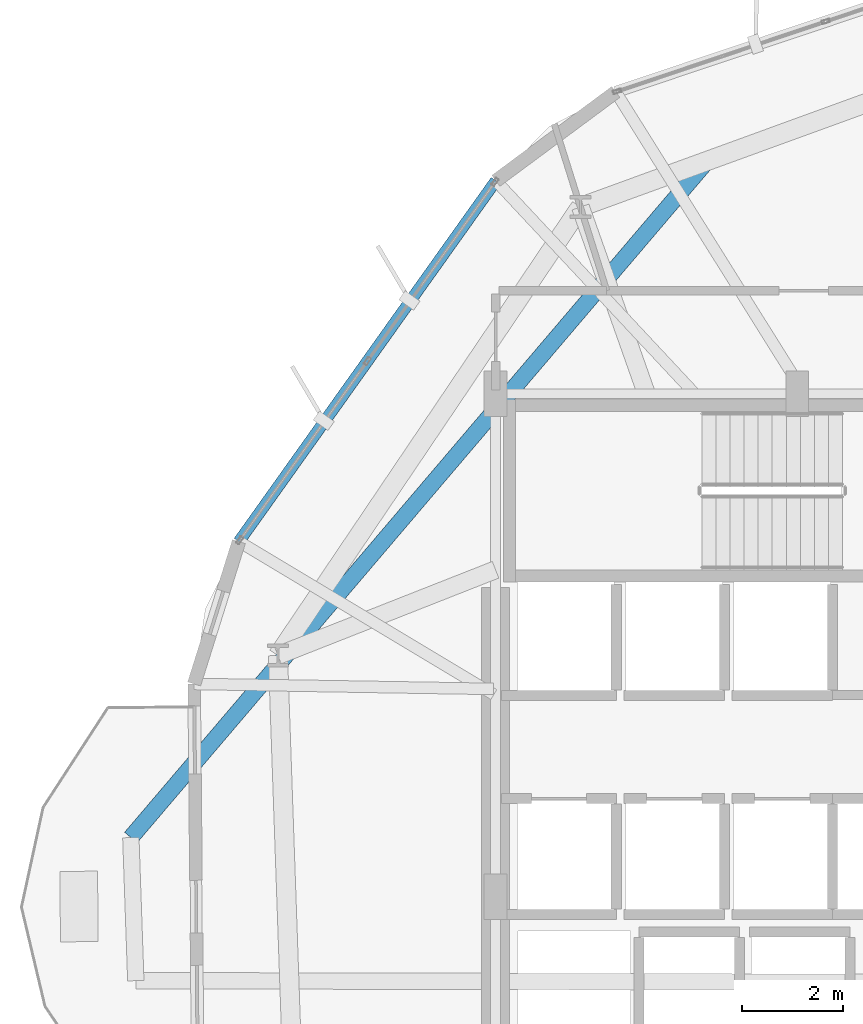
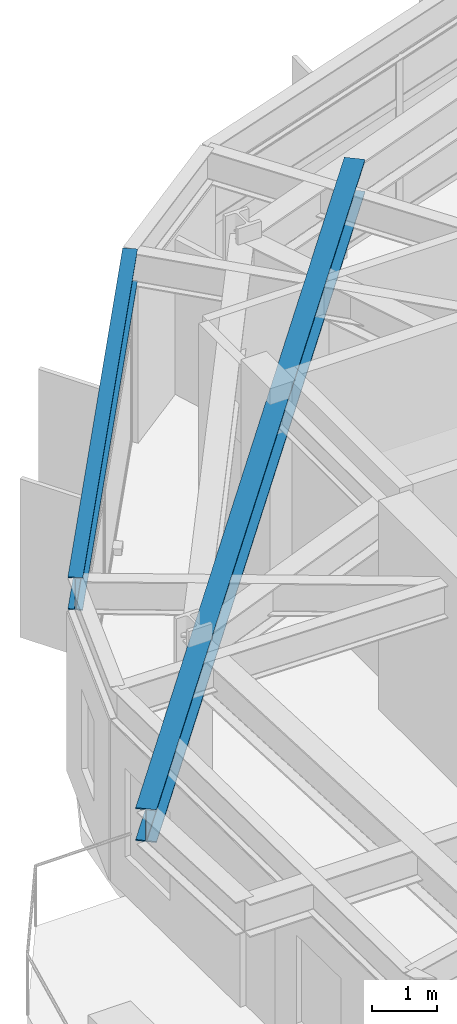
# One storey, part 9 of 27: 2 beams.
"""IFC4 building model written with IfcOpenShell, lengths in metres."""

import ifcopenshell
import ifcopenshell.guid

model = None  # the IFC model being written
_history = None  # IfcOwnerHistory: only IFC2X3 demands one
_inside = {}  # id of a spatial element -> (the spatial element, [elements in it])
_under = {}  # id of a project, library or spatial element -> (it, [spatial elements below it])
_declared = {}  # id of a project -> (the project, [libraries it declares])
_typed = {}  # id of a type object -> (the type object, [elements of that type])
_made_of = {}  # id of a material, layer set ... -> (it, [elements and type objects made of it])


def new_model(schema):
    """Start an empty IFC model of exactly this schema.

    Asked for "IFC4X3", IfcOpenShell would pick the latest addendum, in which some entities
    have other attributes; the version numbers below select the first issue.
    IFC2X3 requires an IfcOwnerHistory on every rooted entity: one is made here for all.
    """
    global model, _history
    if schema == "IFC4X3":
        model = ifcopenshell.file(schema_version=(4, 3, 0, 0))
    else:
        model = ifcopenshell.file(schema=schema)
    _inside.clear()
    _under.clear()
    _declared.clear()
    _typed.clear()
    _made_of.clear()
    _history = None
    if model.schema == "IFC2X3":
        org = make("IfcOrganization", Name="unknown")
        user = make(
            "IfcPersonAndOrganization",
            ThePerson=make("IfcPerson", FamilyName="unknown"),
            TheOrganization=org,
        )
        app = make(
            "IfcApplication",
            ApplicationDeveloper=org,
            Version="unknown",
            ApplicationFullName="unknown",
            ApplicationIdentifier="unknown",
        )
        _history = make(
            "IfcOwnerHistory",
            OwningUser=user,
            OwningApplication=app,
            ChangeAction="ADDED",
            CreationDate=0,
        )
    return model


def make(cls, **values):
    """One entity of the class cls with the attributes given. An attribute that is None is left unset."""
    return model.create_entity(
        cls, **{name: value for name, value in values.items() if value is not None}
    )


def rooted(cls, **values):
    """An entity with a GlobalId (a new one), such as an element, a storey or a relation."""
    return make(cls, GlobalId=ifcopenshell.guid.new(), OwnerHistory=_history, **values)


def si_unit(unit_type, name, prefix=None):
    """IfcSIUnit, for example si_unit("LENGTHUNIT", "METRE", prefix="MILLI")."""
    return make("IfcSIUnit", UnitType=unit_type, Prefix=prefix, Name=name)


def assignment(units):
    """IfcUnitAssignment: the units of a project."""
    return None if units is None else make("IfcUnitAssignment", Units=units)


def point(xyz):
    """IfcCartesianPoint."""
    return None if xyz is None else make("IfcCartesianPoint", Coordinates=xyz)


def direction(xyz):
    """IfcDirection."""
    return None if xyz is None else make("IfcDirection", DirectionRatios=xyz)


def frame(location, z_axis=None, x_axis=None):
    """IfcAxis2Placement3D, a coordinate frame: its origin and axes. An axis left out is left unset."""
    return make(
        "IfcAxis2Placement3D",
        Location=point(location),
        Axis=direction(z_axis),
        RefDirection=direction(x_axis),
    )


def frame_2d(location, x_axis=None):
    """IfcAxis2Placement2D, a coordinate frame in the plane: its origin and x axis."""
    return make(
        "IfcAxis2Placement2D", Location=point(location), RefDirection=direction(x_axis)
    )


def origin():
    """The frame at (0, 0, 0) with its axes left unset."""
    return frame((0.0, 0.0, 0.0))


def origin_2d():
    """The frame at (0, 0) in the plane with its x axis left unset."""
    return frame_2d((0.0, 0.0))


def place(relative_to, where):
    """IfcLocalPlacement: puts the frame where relative to a parent placement (None: the world)."""
    return make(
        "IfcLocalPlacement", PlacementRelTo=relative_to, RelativePlacement=where
    )


def context(
    kind, dimensions, precision=None, world=None, true_north=None, identifier=None
):
    """IfcGeometricRepresentationContext, for example the 3D "Model" context."""
    return make(
        "IfcGeometricRepresentationContext",
        ContextIdentifier=identifier,
        ContextType=kind,
        CoordinateSpaceDimension=dimensions,
        Precision=precision,
        WorldCoordinateSystem=world,
        TrueNorth=true_north,
    )


def subcontext(parent, identifier, kind, view, scale=None):
    """IfcGeometricRepresentationSubContext, for example "Body" below "Model"."""
    return make(
        "IfcGeometricRepresentationSubContext",
        ContextIdentifier=identifier,
        ContextType=kind,
        ParentContext=parent,
        TargetScale=scale,
        TargetView=view,
    )


def project(units=None, contexts=None):
    """IfcProject with its units and contexts."""
    return rooted(
        "IfcProject",
        Name="project",
        RepresentationContexts=contexts,
        UnitsInContext=assignment(units),
    )


def spatial(cls, under=None, at=None, **own):
    """A site, building, storey or space (cls), placed at a placement, below another one or the project."""
    s = rooted(cls, ObjectPlacement=at, **own)
    if under is not None:
        _under.setdefault(under.id(), (under, []))[1].append(s)
    return s


def profile(cls, at=None, kind="AREA", **sizes):
    """A parametric profile (cls). Its sizes go by their IFC names, for example OverallWidth=200.0."""
    return make(cls, ProfileType=kind, Position=at, **sizes)


def i_section(**sizes):
    """IfcIShapeProfileDef."""
    return profile("IfcIShapeProfileDef", **sizes)


def extrude(swept, where, along, depth):
    """IfcExtrudedAreaSolid: the profile swept, set in the frame where, extruded along a direction by depth."""
    return make(
        "IfcExtrudedAreaSolid",
        SweptArea=swept,
        Position=where,
        ExtrudedDirection=direction(along),
        Depth=depth,
    )


def shape(context_of_items, identifier, shape_type, items):
    """IfcShapeRepresentation: the items that make up one representation, for example the "Body"."""
    return make(
        "IfcShapeRepresentation",
        ContextOfItems=context_of_items,
        RepresentationIdentifier=identifier,
        RepresentationType=shape_type,
        Items=items,
    )


def material(Name=None, Category=None):
    """IfcMaterial."""
    return make("IfcMaterial", Name=Name, Category=Category)


def material_profile(
    of_material, cross_section, Name=None, Category=None, Priority=None
):
    """IfcMaterialProfile: a cross section and its material."""
    return make(
        "IfcMaterialProfile",
        Name=Name,
        Material=of_material,
        Profile=cross_section,
        Priority=Priority,
        Category=Category,
    )


def profile_set(profiles, Name=None, composite=None):
    """IfcMaterialProfileSet."""
    return make(
        "IfcMaterialProfileSet",
        Name=Name,
        MaterialProfiles=profiles,
        CompositeProfile=composite,
    )


def made_of(thing, what):
    """Note that an element or type object is made of a material, layer set ...; save() writes the relation."""
    if what is not None:
        _made_of.setdefault(what.id(), (what, []))[1].append(thing)
    return thing


def type_object(cls, material=None, **own):
    """A type object (cls), such as IfcWallType, which elements share."""
    return made_of(rooted(cls, **own), material)


def element(
    cls,
    number,
    at=None,
    inside=None,
    cuts=None,
    type_object=None,
    material=None,
    context=None,
    identifier="Body",
    shape_type=None,
    held_by="IfcProductDefinitionShape",
    body=None,
    shapes=None,
    **own,
):
    """One element of the class cls, such as IfcWall. Its Tag is "e" and its number.

    at: its placement. inside: the storey or other place that contains it. cuts: it is an
    opening in that element (IfcRelVoidsElement). A single representation is given by context,
    identifier, shape_type and body (its items); several are given by shapes. held_by: the class
    of the entity that holds the representations. save() writes the other relations.
    """
    e = rooted(cls, Tag="e%d" % number, ObjectPlacement=at, **own)
    if body is not None:
        shapes = [shape(context, identifier, shape_type, body)]
    if shapes is not None:
        e.Representation = make(held_by, Representations=shapes)
    if inside is not None:
        _inside.setdefault(inside.id(), (inside, []))[1].append(e)
    if cuts is not None:
        rooted(
            "IfcRelVoidsElement", RelatingBuildingElement=cuts, RelatedOpeningElement=e
        )
    if type_object is not None:
        _typed.setdefault(type_object.id(), (type_object, []))[1].append(e)
    return made_of(e, material)


def aggregate(whole, parts):
    """IfcRelAggregates: a whole, such as a stair, and the parts it consists of."""
    return rooted("IfcRelAggregates", RelatingObject=whole, RelatedObjects=parts)


def save(model, path):
    """Write the relations noted so far, then the file.

    IfcRelAggregates (storeys below a building ...), IfcRelContainedInSpatialStructure (elements
    in a storey), IfcRelDefinesByType, IfcRelAssociatesMaterial and IfcRelDeclares: one each for
    every whole, place, type object, material and project.
    """
    for whole, parts in _under.values():
        aggregate(whole, parts)
    for where, things in _inside.values():
        rooted(
            "IfcRelContainedInSpatialStructure",
            RelatedElements=things,
            RelatingStructure=where,
        )
    for kind, things in _typed.values():
        rooted("IfcRelDefinesByType", RelatedObjects=things, RelatingType=kind)
    for what, things in _made_of.values():
        rooted("IfcRelAssociatesMaterial", RelatedObjects=things, RelatingMaterial=what)
    for by, libraries in _declared.values():
        rooted("IfcRelDeclares", RelatingContext=by, RelatedDefinitions=libraries)
    model.write(path)


model = new_model("IFC4")

# Units and contexts
model_context = context("Model", 3, precision=1e-05, world=origin(), true_north=direction((0.0, 1.0)))
body_context = subcontext(model_context, "Body", "Model", "MODEL_VIEW")
ifc_project = project(units=[si_unit("LENGTHUNIT", "METRE"), si_unit("AREAUNIT", "SQUARE_METRE"), si_unit("VOLUMEUNIT", "CUBIC_METRE"), si_unit("PLANEANGLEUNIT", "RADIAN"), si_unit("MASSUNIT", "GRAM", prefix="KILO")], contexts=[model_context])

# Site, building, storey
site_placement = place(None, origin())
site = spatial("IfcSite", under=ifc_project, at=site_placement, CompositionType="ELEMENT")
building_placement = place(site_placement, origin())
building = spatial("IfcBuilding", under=site, at=building_placement, Name="Soratama Intermodal Tower", CompositionType="ELEMENT")
storey_placement = place(building_placement, frame((0.0, 0.0, 103.0)))
storey = spatial("IfcBuildingStorey", under=building, at=storey_placement, Name="L24", CompositionType="ELEMENT", Elevation=103.0)

# Beams
ifc_material_1 = material(Name="Structural steel ASTM A992 Grade 50", Category="steel")
ifc_material_profile_1 = material_profile(ifc_material_1, i_section(OverallWidth=0.324951171875, OverallDepth=0.615966796875, WebThickness=0.013916015625, FlangeThickness=0.021484375, FilletRadius=0.013916015625, at=origin_2d()), Name="W24X117")
ifc_profile_set_1 = profile_set([ifc_material_profile_1], Name="Structural steel ASTM A992 Grade 50")
beam_type_1 = type_object("IfcBeamType", Name="BM-CANT-W24X117", PredefinedType="BEAM", material=ifc_profile_set_1)
beam_1_placement = place(storey_placement, frame((36.781982421875, 39.597900390625, 3.2919921875), z_axis=(-0.648447137657, -0.761259686089, 0.0), x_axis=(0.761259686089, -0.648447137657, 0.0)))
element("IfcBeam", 1, at=beam_1_placement, inside=storey, type_object=beam_type_1, Name="BM-L24-CANT-3-1", PredefinedType="BEAM", context=body_context, shape_type="SweptSolid", body=[
    extrude(i_section(OverallWidth=0.324951171875, OverallDepth=0.615966796875, WebThickness=0.013916015625, FlangeThickness=0.021484375, FilletRadius=0.013916015625, at=origin_2d()), origin(), (0.0, 0.0, 1.0), 17.631103515625),
])
ifc_material_2 = material(Name="Structural steel ASTM A992 Grade 50", Category="steel")
ifc_material_profile_2 = material_profile(ifc_material_2, i_section(OverallWidth=0.22900390625, OverallDepth=0.612060546875, WebThickness=0.011962890625, FlangeThickness=0.01953125, FilletRadius=0.012939453125, at=origin_2d()), Name="W24X84")
ifc_profile_set_2 = profile_set([ifc_material_profile_2], Name="Structural steel ASTM A992 Grade 50")
beam_type_2 = type_object("IfcBeamType", Name="BM-SPN-W24X84", PredefinedType="SPANDREL", material=ifc_profile_set_2)
beam_2_placement = place(storey_placement, frame((32.60595703125, 39.23291015625, 3.2939453125), z_axis=(-0.58014146508, -0.814515733731, 0.0), x_axis=(0.814515733731, -0.58014146508, 0.0)))
element("IfcBeam", 2, at=beam_2_placement, inside=storey, type_object=beam_type_2, Name="BS-L24-F04", PredefinedType="SPANDREL", context=body_context, shape_type="SweptSolid", body=[
    extrude(i_section(OverallWidth=0.22900390625, OverallDepth=0.612060546875, WebThickness=0.011962890625, FlangeThickness=0.01953125, FilletRadius=0.012939453125, at=origin_2d()), origin(), (0.0, 0.0, 1.0), 8.806396484375),
])

save(model, "model.ifc")
